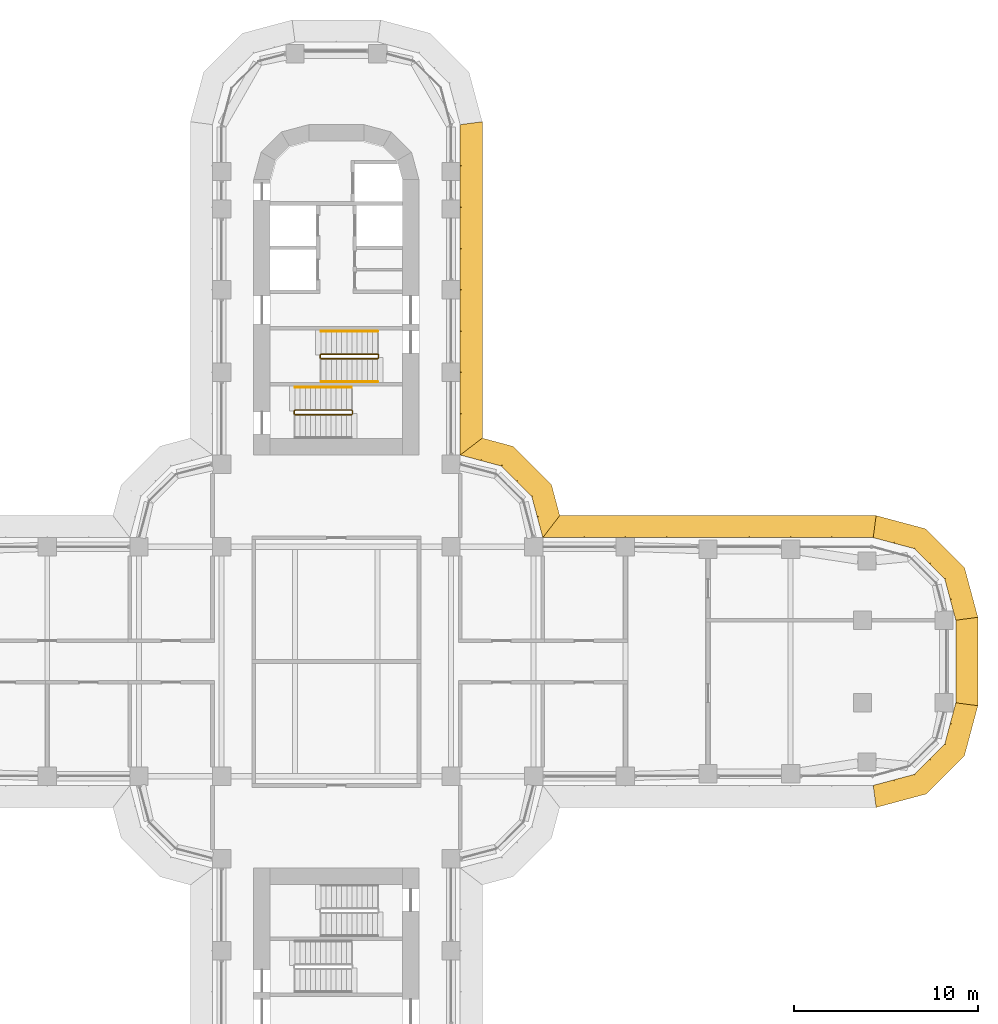
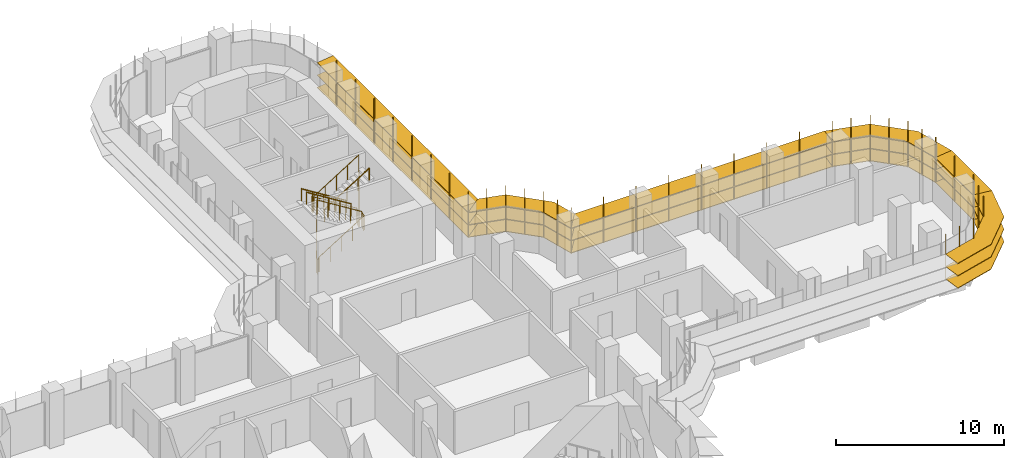
# One storey, part 22 of 23: 6 shading devices, 5 railings.
"""IFC4 building model written with IfcOpenShell, lengths in metres."""

from ifc_helpers import new_model, si_unit, direction, frame, origin, origin_2d, place, context, subcontext, project, spatial, polyline, circle, outline, extrude, faceted_brep, source, transform, mapped, material, type_object, element, save


model = new_model("IFC4")

# Units and contexts
model_context = context("Model", 3, precision=1e-05, world=origin(), true_north=direction((0.0, 1.0)))
body_context = subcontext(model_context, "Body", "Model", "MODEL_VIEW")
ifc_project = project(units=[si_unit("LENGTHUNIT", "METRE"), si_unit("AREAUNIT", "SQUARE_METRE"), si_unit("VOLUMEUNIT", "CUBIC_METRE"), si_unit("PLANEANGLEUNIT", "RADIAN"), si_unit("MASSUNIT", "GRAM", prefix="KILO")], contexts=[model_context])

# Site, building, storey
site_placement = place(None, origin())
site = spatial("IfcSite", under=ifc_project, at=site_placement, CompositionType="ELEMENT")
building_placement = place(site_placement, origin())
building = spatial("IfcBuilding", under=site, at=building_placement, Name="Zarbagh Exchange Tower", CompositionType="ELEMENT")
storey_placement = place(building_placement, frame((0.0, 0.0, 48.0)))
storey = spatial("IfcBuildingStorey", under=building, at=storey_placement, Name="L10", CompositionType="ELEMENT", Elevation=48.0)

# Railings
ifc_material_1 = material(Name="Stainless steel", Category="steel")
railing_type_1 = type_object("IfcRailingType", Name="Stair guard 1100 mm", PredefinedType="GUARDRAIL", material=ifc_material_1)
railing_1_placement = place(storey_placement, frame((-0.830078125, 16.5, 2.27490234375)))
element("IfcRailing", 1, at=railing_1_placement, inside=storey, type_object=railing_type_1, Name="ST1 stair guard 1", PredefinedType="GUARDRAIL", context=body_context, shape_type="SweptSolid", body=[
    extrude(circle(Radius=0.02392578125, at=origin_2d()), frame((0.0, 0.0, 1.076171875), z_axis=(0.847998304005, 0.0, 0.529998940003), x_axis=(0.0, 1.0, 0.0)), (0.0, 0.0, 1.0), 3.632080078125),
    extrude(circle(Radius=0.02392578125, at=origin_2d()), frame((3.080078125, 0.0, 3.0009765625), z_axis=(0.011914834358, 0.011914834358, -0.999858026644), x_axis=(-0.707106781187, 0.707106781187, 0.0)), (0.0, 0.0, 1.0), 4.200439453125),
    extrude(circle(Radius=0.02392578125, at=origin_2d()), frame((3.130126953125, 0.050048828125, -1.19873046875), z_axis=(0.0, 1.0, 0.0), x_axis=(-1.0, 0.0, 0.0)), (0.0, 0.0, 1.0), 0.14990234375),
    extrude(circle(Radius=0.02392578125, at=origin_2d()), frame((3.130126953125, 0.199951171875, -1.19873046875), z_axis=(-0.265065253269, 0.265065253269, 0.927081885822), x_axis=(-0.707106781187, -0.707106781187, 0.0)), (0.0, 0.0, 1.0), 0.188720703125),
    extrude(circle(Radius=0.02392578125, at=origin_2d()), frame((3.080078125, 0.25, -1.02392578125), z_axis=(-0.847998304005, 0.0, 0.529998940003), x_axis=(0.0, -1.0, 0.0)), (0.0, 0.0, 1.0), 3.632080078125),
    extrude(circle(Radius=0.02392578125, at=origin_2d()), frame((0.0, 0.25, 0.9013671875), z_axis=(-0.705375805398, -0.708833529934, 0.0), x_axis=(0.708833529934, -0.705375805398, 0.0)), (0.0, 0.0, 1.0), 0.070556640625),
    extrude(circle(Radius=0.02392578125, at=origin_2d()), frame((-0.0498046875, 0.199951171875, 0.9013671875), z_axis=(0.0, -1.0, 0.0), x_axis=(1.0, 0.0, 0.0)), (0.0, 0.0, 1.0), 0.14990234375),
    extrude(circle(Radius=0.02099609375, at=origin_2d()), origin(), (0.0, 0.0, 1.0), 1.052001953125),
    extrude(circle(Radius=0.02099609375, at=origin_2d()), frame((0.77001953125, 0.0, 0.481201171875)), (0.0, 0.0, 1.0), 1.052001953125),
    extrude(circle(Radius=0.02099609375, at=origin_2d()), frame((1.5400390625, 0.0, 0.96240234375)), (0.0, 0.0, 1.0), 1.052001953125),
    extrude(circle(Radius=0.02099609375, at=origin_2d()), frame((2.31005859375, 0.0, 1.44384765625)), (0.0, 0.0, 1.0), 1.052001953125),
    extrude(circle(Radius=0.02099609375, at=origin_2d()), frame((3.080078125, 0.0, 1.925048828125)), (0.0, 0.0, 1.0), 1.052001953125),
    extrude(circle(Radius=0.02099609375, at=origin_2d()), frame((3.092529296875, 0.012451171875, 0.875)), (0.0, 0.0, 1.0), 1.052001953125),
    extrude(circle(Radius=0.02099609375, at=origin_2d()), frame((3.10498046875, 0.02490234375, -0.1748046875)), (0.0, 0.0, 1.0), 1.052001953125),
    extrude(circle(Radius=0.02099609375, at=origin_2d()), frame((3.11767578125, 0.03759765625, -1.224853515625)), (0.0, 0.0, 1.0), 1.052001953125),
    extrude(circle(Radius=0.02099609375, at=origin_2d()), frame((3.130126953125, 0.050048828125, -2.27490234375)), (0.0, 0.0, 1.0), 1.052001953125),
    extrude(circle(Radius=0.02099609375, at=origin_2d()), frame((3.130126953125, 0.199951171875, -2.27490234375)), (0.0, 0.0, 1.0), 1.052001953125),
    extrude(circle(Radius=0.02099609375, at=origin_2d()), frame((3.080078125, 0.25, -2.099853515625)), (0.0, 0.0, 1.0), 1.052001953125),
    extrude(circle(Radius=0.02099609375, at=origin_2d()), frame((2.31005859375, 0.25, -1.61865234375)), (0.0, 0.0, 1.0), 1.052001953125),
    extrude(circle(Radius=0.02099609375, at=origin_2d()), frame((1.5400390625, 0.25, -1.13720703125)), (0.0, 0.0, 1.0), 1.052001953125),
    extrude(circle(Radius=0.02099609375, at=origin_2d()), frame((0.77001953125, 0.25, -0.656005859375)), (0.0, 0.0, 1.0), 1.052001953125),
    extrude(circle(Radius=0.02099609375, at=origin_2d()), frame((0.0, 0.25, -0.1748046875)), (0.0, 0.0, 1.0), 1.052001953125),
    extrude(circle(Radius=0.02099609375, at=origin_2d()), frame((-0.0498046875, 0.199951171875, -0.1748046875)), (0.0, 0.0, 1.0), 1.052001953125),
    extrude(circle(Radius=0.02099609375, at=origin_2d()), frame((-0.0498046875, 0.050048828125, -0.1748046875)), (0.0, 0.0, 1.0), 1.052001953125),
])
railing_2_placement = place(storey_placement, frame((0.8798828125, 13.5, 2.10009765625)))
element("IfcRailing", 2, at=railing_2_placement, inside=storey, type_object=railing_type_1, Name="ST2 stair guard 1", PredefinedType="GUARDRAIL", context=body_context, shape_type="SweptSolid", body=[
    extrude(circle(Radius=0.02392578125, at=origin_2d()), frame((0.0, 0.0, 1.076171875), z_axis=(0.0, 1.0, 0.0), x_axis=(-1.0, 0.0, 0.0)), (0.0, 0.0, 1.0), 0.14990234375),
    extrude(circle(Radius=0.02392578125, at=origin_2d()), frame((0.0, 0.14990234375, 1.076171875), z_axis=(-0.264179342666, 0.265474339444, 0.927217692888), x_axis=(-0.708833529934, -0.705375805398, 0.0)), (0.0, 0.0, 1.0), 0.1884765625),
    extrude(circle(Radius=0.02392578125, at=origin_2d()), frame((-0.0498046875, 0.199951171875, 1.2509765625), z_axis=(-0.847998304005, 0.0, 0.529998940003), x_axis=(0.0, -1.0, 0.0)), (0.0, 0.0, 1.0), 3.632080078125),
    extrude(circle(Radius=0.02392578125, at=origin_2d()), frame((-3.1298828125, 0.199951171875, 3.17578125), z_axis=(-0.011914834358, -0.011914834358, -0.999858026644), x_axis=(0.707106781187, -0.707106781187, 0.0)), (0.0, 0.0, 1.0), 4.200439453125),
    extrude(circle(Radius=0.02392578125, at=origin_2d()), frame((-3.179931640625, 0.14990234375, -1.02392578125), z_axis=(0.0, -1.0, 0.0), x_axis=(1.0, 0.0, 0.0)), (0.0, 0.0, 1.0), 0.14990234375),
    extrude(circle(Radius=0.02392578125, at=origin_2d()), frame((-3.179931640625, 0.0, -1.02392578125), z_axis=(0.265065253269, -0.265065253269, 0.927081885822), x_axis=(0.707106781187, 0.707106781187, 0.0)), (0.0, 0.0, 1.0), 0.188720703125),
    extrude(circle(Radius=0.02392578125, at=origin_2d()), frame((-3.1298828125, -0.050048828125, -0.84912109375), z_axis=(0.847998304005, 0.0, 0.529998940003), x_axis=(0.0, 1.0, 0.0)), (0.0, 0.0, 1.0), 3.632080078125),
    extrude(circle(Radius=0.02099609375, at=origin_2d()), origin(), (0.0, 0.0, 1.0), 1.052001953125),
    extrude(circle(Radius=0.02099609375, at=origin_2d()), frame((0.0, 0.14990234375, 0.0)), (0.0, 0.0, 1.0), 1.052001953125),
    extrude(circle(Radius=0.02099609375, at=origin_2d()), frame((-0.0498046875, 0.199951171875, 0.1748046875)), (0.0, 0.0, 1.0), 1.052001953125),
    extrude(circle(Radius=0.02099609375, at=origin_2d()), frame((-0.81982421875, 0.199951171875, 0.656005859375)), (0.0, 0.0, 1.0), 1.052001953125),
    extrude(circle(Radius=0.02099609375, at=origin_2d()), frame((-1.58984375, 0.199951171875, 1.13720703125)), (0.0, 0.0, 1.0), 1.052001953125),
    extrude(circle(Radius=0.02099609375, at=origin_2d()), frame((-2.35986328125, 0.199951171875, 1.61865234375)), (0.0, 0.0, 1.0), 1.052001953125),
    extrude(circle(Radius=0.02099609375, at=origin_2d()), frame((-3.1298828125, 0.199951171875, 2.099853515625)), (0.0, 0.0, 1.0), 1.052001953125),
    extrude(circle(Radius=0.02099609375, at=origin_2d()), frame((-3.142333984375, 0.1875, 1.0498046875)), (0.0, 0.0, 1.0), 1.052001953125),
    extrude(circle(Radius=0.02099609375, at=origin_2d()), frame((-3.15478515625, 0.1748046875, 0.0)), (0.0, 0.0, 1.0), 1.052001953125),
    extrude(circle(Radius=0.02099609375, at=origin_2d()), frame((-3.16748046875, 0.162353515625, -1.050048828125)), (0.0, 0.0, 1.0), 1.052001953125),
    extrude(circle(Radius=0.02099609375, at=origin_2d()), frame((-3.179931640625, 0.14990234375, -2.10009765625)), (0.0, 0.0, 1.0), 1.052001953125),
    extrude(circle(Radius=0.02099609375, at=origin_2d()), frame((-3.179931640625, 0.0, -2.10009765625)), (0.0, 0.0, 1.0), 1.052001953125),
    extrude(circle(Radius=0.02099609375, at=origin_2d()), frame((-3.1298828125, -0.050048828125, -1.925048828125)), (0.0, 0.0, 1.0), 1.052001953125),
    extrude(circle(Radius=0.02099609375, at=origin_2d()), frame((-2.35986328125, -0.050048828125, -1.44384765625)), (0.0, 0.0, 1.0), 1.052001953125),
    extrude(circle(Radius=0.02099609375, at=origin_2d()), frame((-1.58984375, -0.050048828125, -0.96240234375)), (0.0, 0.0, 1.0), 1.052001953125),
    extrude(circle(Radius=0.02099609375, at=origin_2d()), frame((-0.81982421875, -0.050048828125, -0.481201171875)), (0.0, 0.0, 1.0), 1.052001953125),
    extrude(circle(Radius=0.02099609375, at=origin_2d()), frame((-0.0498046875, -0.050048828125, 0.0)), (0.0, 0.0, 1.0), 1.052001953125),
])
railing_type_2 = type_object("IfcRailingType", Name="Stair handrail 900 mm", PredefinedType="HANDRAIL", material=ifc_material_1)
railing_3_placement = place(storey_placement, frame((2.25, 18.0, 0.175048828125)))
element("IfcRailing", 3, at=railing_3_placement, inside=storey, type_object=railing_type_2, Name="ST1 stair handrail 1", PredefinedType="HANDRAIL", context=body_context, shape_type="SweptSolid", body=[
    extrude(circle(Radius=0.02392578125, at=origin_2d()), frame((0.0, 0.0, 0.8759765625), z_axis=(-0.847998304005, 0.0, 0.529998940003), x_axis=(0.0, -1.0, 0.0)), (0.0, 0.0, 1.0), 3.632080078125),
    extrude(circle(Radius=0.02099609375, at=origin_2d()), origin(), (0.0, 0.0, 1.0), 0.851806640625),
    extrude(circle(Radius=0.02099609375, at=origin_2d()), frame((-0.77001953125, 0.0, 0.481201171875)), (0.0, 0.0, 1.0), 0.851806640625),
    extrude(circle(Radius=0.02099609375, at=origin_2d()), frame((-1.5400390625, 0.0, 0.96240234375)), (0.0, 0.0, 1.0), 0.851806640625),
    extrude(circle(Radius=0.02099609375, at=origin_2d()), frame((-2.31005859375, 0.0, 1.44384765625)), (0.0, 0.0, 1.0), 0.851806640625),
    extrude(circle(Radius=0.02099609375, at=origin_2d()), frame((-3.080078125, 0.0, 1.925048828125)), (0.0, 0.0, 1.0), 0.851806640625),
])
railing_4_placement = place(storey_placement, frame((-0.830078125, 15.25, 2.27490234375)))
element("IfcRailing", 4, at=railing_4_placement, inside=storey, type_object=railing_type_2, Name="ST1 stair handrail 2", PredefinedType="HANDRAIL", context=body_context, shape_type="SweptSolid", body=[
    extrude(circle(Radius=0.02392578125, at=origin_2d()), frame((0.0, 0.0, 0.8759765625), z_axis=(0.847998304005, 0.0, 0.529998940003), x_axis=(0.0, 1.0, 0.0)), (0.0, 0.0, 1.0), 3.632080078125),
    extrude(circle(Radius=0.02099609375, at=origin_2d()), origin(), (0.0, 0.0, 1.0), 0.851806640625),
    extrude(circle(Radius=0.02099609375, at=origin_2d()), frame((0.77001953125, 0.0, 0.481201171875)), (0.0, 0.0, 1.0), 0.851806640625),
    extrude(circle(Radius=0.02099609375, at=origin_2d()), frame((1.5400390625, 0.0, 0.96240234375)), (0.0, 0.0, 1.0), 0.851806640625),
    extrude(circle(Radius=0.02099609375, at=origin_2d()), frame((2.31005859375, 0.0, 1.44384765625)), (0.0, 0.0, 1.0), 0.851806640625),
    extrude(circle(Radius=0.02099609375, at=origin_2d()), frame((3.080078125, 0.0, 1.925048828125)), (0.0, 0.0, 1.0), 0.851806640625),
])
railing_5_placement = place(storey_placement, frame((0.830078125, 14.949951171875, 2.27490234375)))
element("IfcRailing", 5, at=railing_5_placement, inside=storey, type_object=railing_type_2, Name="ST2 stair handrail 2", PredefinedType="HANDRAIL", context=body_context, shape_type="SweptSolid", body=[
    extrude(circle(Radius=0.02392578125, at=origin_2d()), frame((0.0, 0.0, 0.8759765625), z_axis=(-0.847998304005, 0.0, 0.529998940003), x_axis=(0.0, -1.0, 0.0)), (0.0, 0.0, 1.0), 3.632080078125),
    extrude(circle(Radius=0.02099609375, at=origin_2d()), origin(), (0.0, 0.0, 1.0), 0.851806640625),
    extrude(circle(Radius=0.02099609375, at=origin_2d()), frame((-0.77001953125, 0.0, 0.481201171875)), (0.0, 0.0, 1.0), 0.851806640625),
    extrude(circle(Radius=0.02099609375, at=origin_2d()), frame((-1.5400390625, 0.0, 0.96240234375)), (0.0, 0.0, 1.0), 0.851806640625),
    extrude(circle(Radius=0.02099609375, at=origin_2d()), frame((-2.31005859375, 0.0, 1.44384765625)), (0.0, 0.0, 1.0), 0.851806640625),
    extrude(circle(Radius=0.02099609375, at=origin_2d()), frame((-3.080078125, 0.0, 1.925048828125)), (0.0, 0.0, 1.0), 0.851806640625),
])

# Shading devices
ifc_material_2 = material(Name="Anodised aluminium blades and brackets", Category="aluminium")
shading_device_type = type_object("IfcShadingDeviceType", Name="SUNSHADE louvre band, 0 degree blades", PredefinedType="JALOUSIE", material=ifc_material_2)
shared_shape_1 = source(origin(), body_context, "Body", "Brep", [
    faceted_brep([(0.0, 0.0, 0.0), (0.0, 0.0, -0.0400390625), (-0.157958984375, -1.199951171875, -0.0400390625), (-0.157958984375, -1.199951171875, 0.0), (2.65087890625, -1.199951171875, 0.0), (2.65087890625, -1.199951171875, -0.0400390625), (2.329345703125, 0.0, -0.0400390625), (2.329345703125, 0.0, 0.0)], [[[0, 1, 2, 3]], [[4, 5, 6, 7]], [[0, 7, 6, 1]], [[1, 6, 5, 2]], [[2, 5, 4, 3]], [[3, 4, 7, 0]]]),
])
shared_shape_2 = source(origin(), body_context, "Body", "Brep", [
    faceted_brep([(0.0, 0.0, 0.0), (0.0, 0.0, -0.0400390625), (-0.321533203125, -1.199951171875, -0.0400390625), (-0.321533203125, -1.199951171875, 0.0), (2.65087890625, -1.199951171875, 0.0), (2.65087890625, -1.199951171875, -0.0400390625), (2.329345703125, 0.0, -0.0400390625), (2.329345703125, 0.0, 0.0)], [[[0, 1, 2, 3]], [[4, 5, 6, 7]], [[0, 7, 6, 1]], [[1, 6, 5, 2]], [[2, 5, 4, 3]], [[3, 4, 7, 0]]]),
])
shared_shape_3 = source(origin(), body_context, "Body", "Brep", [
    faceted_brep([(0.0, 0.0, 0.0), (0.0, 0.0, -0.0400390625), (-0.321533203125, -1.199951171875, -0.0400390625), (-0.321533203125, -1.199951171875, 0.0), (2.4873046875, -1.199951171875, 0.0), (2.4873046875, -1.199951171875, -0.0400390625), (2.329345703125, 0.0, -0.0400390625), (2.329345703125, 0.0, 0.0)], [[[0, 1, 2, 3]], [[4, 5, 6, 7]], [[0, 7, 6, 1]], [[1, 6, 5, 2]], [[2, 5, 4, 3]], [[3, 4, 7, 0]]]),
])
shared_shape_4 = source(origin(), body_context, "Body", "SweptSolid", [
    extrude(outline(polyline([(0.0, -0.012451171875), (0.06005859375, -0.012451171875), (0.06005859375, 0.012451171875), (0.0, 0.012451171875), (0.0, -0.012451171875)])), origin(), (0.0, 0.0, 1.0), 3.35009765625),
])
placement = place(storey_placement, origin())
element("IfcShadingDevice", 6, at=placement, inside=storey, type_object=shading_device_type, Name="SS05 sunshade band", PredefinedType="JALOUSIE", context=body_context, shape_type="MappedRepresentation", body=[
    mapped(shared_shape_1, transform((29.25, -6.75, 2.699951171875), x_axis=(0.965924289636, 0.258824779902, 0.0), y_axis=(-0.258824779902, 0.965924289636, 0.0), z_axis=(0.0, 0.0, 1.0))),
    mapped(shared_shape_1, transform((29.25, -6.75, 1.800048828125), x_axis=(0.965924289636, 0.258824779902, 0.0), y_axis=(-0.258824779902, 0.965924289636, 0.0), z_axis=(0.0, 0.0, 1.0))),
    mapped(shared_shape_1, transform((29.25, -6.75, 0.89990234375), x_axis=(0.965924289636, 0.258824779902, 0.0), y_axis=(-0.258824779902, 0.965924289636, 0.0), z_axis=(0.0, 0.0, 1.0))),
    mapped(shared_shape_2, transform((31.5, -6.147216796875, 2.699951171875), x_axis=(0.707106781187, 0.707106781187, 0.0), y_axis=(-0.707106781187, 0.707106781187, 0.0), z_axis=(0.0, 0.0, 1.0))),
    mapped(shared_shape_2, transform((31.5, -6.147216796875, 1.800048828125), x_axis=(0.707106781187, 0.707106781187, 0.0), y_axis=(-0.707106781187, 0.707106781187, 0.0), z_axis=(0.0, 0.0, 1.0))),
    mapped(shared_shape_2, transform((31.5, -6.147216796875, 0.89990234375), x_axis=(0.707106781187, 0.707106781187, 0.0), y_axis=(-0.707106781187, 0.707106781187, 0.0), z_axis=(0.0, 0.0, 1.0))),
    mapped(shared_shape_3, transform((33.147216796875, -4.5, 2.699951171875), x_axis=(0.258824779902, 0.965924289636, 0.0), y_axis=(-0.965924289636, 0.258824779902, 0.0), z_axis=(0.0, 0.0, 1.0))),
    mapped(shared_shape_3, transform((33.147216796875, -4.5, 1.800048828125), x_axis=(0.258824779902, 0.965924289636, 0.0), y_axis=(-0.965924289636, 0.258824779902, 0.0), z_axis=(0.0, 0.0, 1.0))),
    mapped(shared_shape_3, transform((33.147216796875, -4.5, 0.89990234375), x_axis=(0.258824779902, 0.965924289636, 0.0), y_axis=(-0.965924289636, 0.258824779902, 0.0), z_axis=(0.0, 0.0, 1.0))),
    mapped(shared_shape_4, transform((29.25, -6.75, 0.830078125), x_axis=(0.130529263012, -0.991444457092, 0.0), y_axis=(0.991444457092, 0.130529263012, 0.0), z_axis=(0.0, 0.0, 1.0))),
    mapped(shared_shape_4, transform((30.375, -6.448486328125, 0.830078125), x_axis=(0.258825058029, -0.96592421511, 0.0), y_axis=(0.96592421511, 0.258825058029, 0.0), z_axis=(0.0, 0.0, 1.0))),
    mapped(shared_shape_4, transform((31.5, -6.147216796875, 0.830078125), x_axis=(0.50000275701, -0.866023812018, 0.0), y_axis=(0.866023812018, 0.50000275701, 0.0), z_axis=(0.0, 0.0, 1.0))),
    mapped(shared_shape_4, transform((32.323486328125, -5.323486328125, 0.830078125), x_axis=(0.707106781187, -0.707106781187, 0.0), y_axis=(0.707106781187, 0.707106781187, 0.0), z_axis=(0.0, 0.0, 1.0))),
    mapped(shared_shape_4, transform((33.147216796875, -4.5, 0.830078125), x_axis=(0.866023812018, -0.50000275701, 0.0), y_axis=(0.50000275701, 0.866023812018, 0.0), z_axis=(0.0, 0.0, 1.0))),
    mapped(shared_shape_4, transform((33.448486328125, -3.375, 0.830078125), x_axis=(0.96592421511, -0.258825058029, 0.0), y_axis=(0.258825058029, 0.96592421511, 0.0), z_axis=(0.0, 0.0, 1.0))),
])
element("IfcShadingDevice", 7, at=placement, inside=storey, type_object=shading_device_type, Name="SS07 sunshade band", PredefinedType="JALOUSIE", context=body_context, shape_type="MappedRepresentation", body=[
    mapped(shared_shape_1, transform((33.75, 2.25, 2.699951171875), x_axis=(-0.258824779902, 0.965924289636, 0.0), y_axis=(-0.965924289636, -0.258824779902, 0.0), z_axis=(0.0, 0.0, 1.0))),
    mapped(shared_shape_1, transform((33.75, 2.25, 1.800048828125), x_axis=(-0.258824779902, 0.965924289636, 0.0), y_axis=(-0.965924289636, -0.258824779902, 0.0), z_axis=(0.0, 0.0, 1.0))),
    mapped(shared_shape_1, transform((33.75, 2.25, 0.89990234375), x_axis=(-0.258824779902, 0.965924289636, 0.0), y_axis=(-0.965924289636, -0.258824779902, 0.0), z_axis=(0.0, 0.0, 1.0))),
    mapped(shared_shape_2, transform((33.147216796875, 4.5, 2.699951171875), x_axis=(-0.707106781187, 0.707106781187, 0.0), y_axis=(-0.707106781187, -0.707106781187, 0.0), z_axis=(0.0, 0.0, 1.0))),
    mapped(shared_shape_2, transform((33.147216796875, 4.5, 1.800048828125), x_axis=(-0.707106781187, 0.707106781187, 0.0), y_axis=(-0.707106781187, -0.707106781187, 0.0), z_axis=(0.0, 0.0, 1.0))),
    mapped(shared_shape_2, transform((33.147216796875, 4.5, 0.89990234375), x_axis=(-0.707106781187, 0.707106781187, 0.0), y_axis=(-0.707106781187, -0.707106781187, 0.0), z_axis=(0.0, 0.0, 1.0))),
    mapped(shared_shape_3, transform((31.5, 6.147216796875, 2.699951171875), x_axis=(-0.965924289636, 0.258824779902, 0.0), y_axis=(-0.258824779902, -0.965924289636, 0.0), z_axis=(0.0, 0.0, 1.0))),
    mapped(shared_shape_3, transform((31.5, 6.147216796875, 1.800048828125), x_axis=(-0.965924289636, 0.258824779902, 0.0), y_axis=(-0.258824779902, -0.965924289636, 0.0), z_axis=(0.0, 0.0, 1.0))),
    mapped(shared_shape_3, transform((31.5, 6.147216796875, 0.89990234375), x_axis=(-0.965924289636, 0.258824779902, 0.0), y_axis=(-0.258824779902, -0.965924289636, 0.0), z_axis=(0.0, 0.0, 1.0))),
    mapped(shared_shape_4, transform((33.75, 2.25, 0.830078125), x_axis=(0.991444457092, 0.130529263012, 0.0), y_axis=(-0.130529263012, 0.991444457092, 0.0), z_axis=(0.0, 0.0, 1.0))),
    mapped(shared_shape_4, transform((33.448486328125, 3.375, 0.830078125), x_axis=(0.96592421511, 0.258825058029, 0.0), y_axis=(-0.258825058029, 0.96592421511, 0.0), z_axis=(0.0, 0.0, 1.0))),
    mapped(shared_shape_4, transform((33.147216796875, 4.5, 0.830078125), x_axis=(0.866023812018, 0.50000275701, 0.0), y_axis=(-0.50000275701, 0.866023812018, 0.0), z_axis=(0.0, 0.0, 1.0))),
    mapped(shared_shape_4, transform((32.323486328125, 5.323486328125, 0.830078125), x_axis=(0.707106781187, 0.707106781187, 0.0), y_axis=(-0.707106781187, 0.707106781187, 0.0), z_axis=(0.0, 0.0, 1.0))),
    mapped(shared_shape_4, transform((31.5, 6.147216796875, 0.830078125), x_axis=(0.50000275701, 0.866023812018, 0.0), y_axis=(-0.866023812018, 0.50000275701, 0.0), z_axis=(0.0, 0.0, 1.0))),
    mapped(shared_shape_4, transform((30.375, 6.448486328125, 0.830078125), x_axis=(0.258825058029, 0.96592421511, 0.0), y_axis=(-0.96592421511, 0.258825058029, 0.0), z_axis=(0.0, 0.0, 1.0))),
])
shared_shape_5 = source(origin(), body_context, "Body", "Brep", [
    faceted_brep([(0.0, 0.0, 0.0), (0.0, 0.0, -0.0400390625), (0.9208984375, -1.199951171875, -0.0400390625), (0.9208984375, -1.199951171875, 0.0), (2.65087890625, -1.199951171875, 0.0), (2.65087890625, -1.199951171875, -0.0400390625), (2.329345703125, 0.0, -0.0400390625), (2.329345703125, 0.0, 0.0)], [[[0, 1, 2, 3]], [[4, 5, 6, 7]], [[0, 7, 6, 1]], [[1, 6, 5, 2]], [[2, 5, 4, 3]], [[3, 4, 7, 0]]]),
])
shared_shape_6 = source(origin(), body_context, "Body", "Brep", [
    faceted_brep([(0.0, 0.0, 0.0), (0.0, 0.0, -0.0400390625), (-0.321533203125, -1.199951171875, -0.0400390625), (-0.321533203125, -1.199951171875, 0.0), (1.40869140625, -1.199951171875, 0.0), (1.40869140625, -1.199951171875, -0.0400390625), (2.329345703125, 0.0, -0.0400390625), (2.329345703125, 0.0, 0.0)], [[[0, 1, 2, 3]], [[4, 5, 6, 7]], [[0, 7, 6, 1]], [[1, 6, 5, 2]], [[2, 5, 4, 3]], [[3, 4, 7, 0]]]),
])
element("IfcShadingDevice", 8, at=placement, inside=storey, type_object=shading_device_type, Name="SS09 sunshade band", PredefinedType="JALOUSIE", context=body_context, shape_type="MappedRepresentation", body=[
    mapped(shared_shape_5, transform((11.25, 6.75, 2.699951171875), x_axis=(-0.258824779902, 0.965924289636, 0.0), y_axis=(-0.965924289636, -0.258824779902, 0.0), z_axis=(0.0, 0.0, 1.0))),
    mapped(shared_shape_5, transform((11.25, 6.75, 1.800048828125), x_axis=(-0.258824779902, 0.965924289636, 0.0), y_axis=(-0.965924289636, -0.258824779902, 0.0), z_axis=(0.0, 0.0, 1.0))),
    mapped(shared_shape_5, transform((11.25, 6.75, 0.89990234375), x_axis=(-0.258824779902, 0.965924289636, 0.0), y_axis=(-0.965924289636, -0.258824779902, 0.0), z_axis=(0.0, 0.0, 1.0))),
    mapped(shared_shape_2, transform((10.647216796875, 9.0, 2.699951171875), x_axis=(-0.707106781187, 0.707106781187, 0.0), y_axis=(-0.707106781187, -0.707106781187, 0.0), z_axis=(0.0, 0.0, 1.0))),
    mapped(shared_shape_2, transform((10.647216796875, 9.0, 1.800048828125), x_axis=(-0.707106781187, 0.707106781187, 0.0), y_axis=(-0.707106781187, -0.707106781187, 0.0), z_axis=(0.0, 0.0, 1.0))),
    mapped(shared_shape_2, transform((10.647216796875, 9.0, 0.89990234375), x_axis=(-0.707106781187, 0.707106781187, 0.0), y_axis=(-0.707106781187, -0.707106781187, 0.0), z_axis=(0.0, 0.0, 1.0))),
    mapped(shared_shape_6, transform((9.0, 10.647216796875, 2.699951171875), x_axis=(-0.965924289636, 0.258824779902, 0.0), y_axis=(-0.258824779902, -0.965924289636, 0.0), z_axis=(0.0, 0.0, 1.0))),
    mapped(shared_shape_6, transform((9.0, 10.647216796875, 1.800048828125), x_axis=(-0.965924289636, 0.258824779902, 0.0), y_axis=(-0.258824779902, -0.965924289636, 0.0), z_axis=(0.0, 0.0, 1.0))),
    mapped(shared_shape_6, transform((9.0, 10.647216796875, 0.89990234375), x_axis=(-0.965924289636, 0.258824779902, 0.0), y_axis=(-0.258824779902, -0.965924289636, 0.0), z_axis=(0.0, 0.0, 1.0))),
    mapped(shared_shape_4, transform((11.25, 6.75, 0.830078125), x_axis=(0.608758892, 0.793355287, 0.0), y_axis=(-0.793355287, 0.608758892, 0.0), z_axis=(0.0, 0.0, 1.0))),
    mapped(shared_shape_4, transform((10.948486328125, 7.875, 0.830078125), x_axis=(0.96592421511, 0.258825058029, 0.0), y_axis=(-0.258825058029, 0.96592421511, 0.0), z_axis=(0.0, 0.0, 1.0))),
    mapped(shared_shape_4, transform((10.647216796875, 9.0, 0.830078125), x_axis=(0.866023812018, 0.50000275701, 0.0), y_axis=(-0.50000275701, 0.866023812018, 0.0), z_axis=(0.0, 0.0, 1.0))),
    mapped(shared_shape_4, transform((9.823486328125, 9.823486328125, 0.830078125), x_axis=(0.707106781187, 0.707106781187, 0.0), y_axis=(-0.707106781187, 0.707106781187, 0.0), z_axis=(0.0, 0.0, 1.0))),
    mapped(shared_shape_4, transform((9.0, 10.647216796875, 0.830078125), x_axis=(0.50000275701, 0.866023812018, 0.0), y_axis=(-0.866023812018, 0.50000275701, 0.0), z_axis=(0.0, 0.0, 1.0))),
    mapped(shared_shape_4, transform((7.875, 10.948486328125, 0.830078125), x_axis=(0.258825058029, 0.96592421511, 0.0), y_axis=(-0.96592421511, 0.258825058029, 0.0), z_axis=(0.0, 0.0, 1.0))),
])
shared_shape_7 = source(origin(), body_context, "Body", "Brep", [
    faceted_brep([(0.0, 0.0, 0.0), (0.0, 0.0, -0.0400390625), (-0.157958984375, -1.199951171875, -0.0400390625), (-0.157958984375, -1.199951171875, 0.0), (4.657958984375, -1.199951171875, 0.0), (4.657958984375, -1.199951171875, -0.0400390625), (4.5, 0.0, -0.0400390625), (4.5, 0.0, 0.0)], [[[0, 1, 2, 3]], [[4, 5, 6, 7]], [[0, 7, 6, 1]], [[1, 6, 5, 2]], [[2, 5, 4, 3]], [[3, 4, 7, 0]]]),
])
element("IfcShadingDevice", 9, at=placement, inside=storey, type_object=shading_device_type, Name="SS06 sunshade band", PredefinedType="JALOUSIE", context=body_context, shape_type="MappedRepresentation", body=[
    mapped(shared_shape_7, transform((33.75, -2.25, 2.699951171875), x_axis=(0.0, 1.0, 0.0), y_axis=(-1.0, 0.0, 0.0), z_axis=(0.0, 0.0, 1.0))),
    mapped(shared_shape_7, transform((33.75, -2.25, 1.800048828125), x_axis=(0.0, 1.0, 0.0), y_axis=(-1.0, 0.0, 0.0), z_axis=(0.0, 0.0, 1.0))),
    mapped(shared_shape_7, transform((33.75, -2.25, 0.89990234375), x_axis=(0.0, 1.0, 0.0), y_axis=(-1.0, 0.0, 0.0), z_axis=(0.0, 0.0, 1.0))),
    mapped(shared_shape_4, transform((33.75, -2.25, 0.830078125), x_axis=(0.991444457092, -0.130529263012, 0.0), y_axis=(0.130529263012, 0.991444457092, 0.0), z_axis=(0.0, 0.0, 1.0))),
    mapped(shared_shape_4, transform((33.75, 0.0, 0.830078125), x_axis=(1.0, 0.0, 0.0), y_axis=(0.0, 1.0, 0.0), z_axis=(0.0, 0.0, 1.0))),
])
shared_shape_8 = source(origin(), body_context, "Body", "Brep", [
    faceted_brep([(0.0, 0.0, 0.0), (0.0, 0.0, -0.0400390625), (-0.157958984375, -1.199951171875, -0.0400390625), (-0.157958984375, -1.199951171875, 0.0), (17.0791015625, -1.199951171875, 0.0), (17.0791015625, -1.199951171875, -0.0400390625), (18.0, 0.0, -0.0400390625), (18.0, 0.0, 0.0)], [[[0, 1, 2, 3]], [[4, 5, 6, 7]], [[0, 7, 6, 1]], [[1, 6, 5, 2]], [[2, 5, 4, 3]], [[3, 4, 7, 0]]]),
])
element("IfcShadingDevice", 10, at=placement, inside=storey, type_object=shading_device_type, Name="SS08 sunshade band", PredefinedType="JALOUSIE", context=body_context, shape_type="MappedRepresentation", body=[
    mapped(shared_shape_8, transform((29.25, 6.75, 2.699951171875), x_axis=(-1.0, 0.0, 0.0), y_axis=(0.0, -1.0, 0.0), z_axis=(0.0, 0.0, 1.0))),
    mapped(shared_shape_8, transform((29.25, 6.75, 1.800048828125), x_axis=(-1.0, 0.0, 0.0), y_axis=(0.0, -1.0, 0.0), z_axis=(0.0, 0.0, 1.0))),
    mapped(shared_shape_8, transform((29.25, 6.75, 0.89990234375), x_axis=(-1.0, 0.0, 0.0), y_axis=(0.0, -1.0, 0.0), z_axis=(0.0, 0.0, 1.0))),
    mapped(shared_shape_4, transform((29.25, 6.75, 0.830078125), x_axis=(0.130529263012, 0.991444457092, 0.0), y_axis=(-0.991444457092, 0.130529263012, 0.0), z_axis=(0.0, 0.0, 1.0))),
    mapped(shared_shape_4, transform((27.0, 6.75, 0.830078125), x_axis=(0.0, 1.0, 0.0), y_axis=(-1.0, 0.0, 0.0), z_axis=(0.0, 0.0, 1.0))),
    mapped(shared_shape_4, transform((24.75, 6.75, 0.830078125), x_axis=(0.0, 1.0, 0.0), y_axis=(-1.0, 0.0, 0.0), z_axis=(0.0, 0.0, 1.0))),
    mapped(shared_shape_4, transform((22.5, 6.75, 0.830078125), x_axis=(0.0, 1.0, 0.0), y_axis=(-1.0, 0.0, 0.0), z_axis=(0.0, 0.0, 1.0))),
    mapped(shared_shape_4, transform((20.25, 6.75, 0.830078125), x_axis=(0.0, 1.0, 0.0), y_axis=(-1.0, 0.0, 0.0), z_axis=(0.0, 0.0, 1.0))),
    mapped(shared_shape_4, transform((18.0, 6.75, 0.830078125), x_axis=(0.0, 1.0, 0.0), y_axis=(-1.0, 0.0, 0.0), z_axis=(0.0, 0.0, 1.0))),
    mapped(shared_shape_4, transform((15.75, 6.75, 0.830078125), x_axis=(0.0, 1.0, 0.0), y_axis=(-1.0, 0.0, 0.0), z_axis=(0.0, 0.0, 1.0))),
    mapped(shared_shape_4, transform((13.5, 6.75, 0.830078125), x_axis=(0.0, 1.0, 0.0), y_axis=(-1.0, 0.0, 0.0), z_axis=(0.0, 0.0, 1.0))),
])
shared_shape_9 = source(origin(), body_context, "Body", "Brep", [
    faceted_brep([(0.0, 0.0, 0.0), (0.0, 0.0, -0.0400390625), (0.9208984375, -1.199951171875, -0.0400390625), (0.9208984375, -1.199951171875, 0.0), (18.157958984375, -1.199951171875, 0.0), (18.157958984375, -1.199951171875, -0.0400390625), (18.0, 0.0, -0.0400390625), (18.0, 0.0, 0.0)], [[[0, 1, 2, 3]], [[4, 5, 6, 7]], [[0, 7, 6, 1]], [[1, 6, 5, 2]], [[2, 5, 4, 3]], [[3, 4, 7, 0]]]),
])
element("IfcShadingDevice", 11, at=placement, inside=storey, type_object=shading_device_type, Name="SS10 sunshade band", PredefinedType="JALOUSIE", context=body_context, shape_type="MappedRepresentation", body=[
    mapped(shared_shape_9, transform((6.75, 11.25, 2.699951171875), x_axis=(0.0, 1.0, 0.0), y_axis=(-1.0, 0.0, 0.0), z_axis=(0.0, 0.0, 1.0))),
    mapped(shared_shape_9, transform((6.75, 11.25, 1.800048828125), x_axis=(0.0, 1.0, 0.0), y_axis=(-1.0, 0.0, 0.0), z_axis=(0.0, 0.0, 1.0))),
    mapped(shared_shape_9, transform((6.75, 11.25, 0.89990234375), x_axis=(0.0, 1.0, 0.0), y_axis=(-1.0, 0.0, 0.0), z_axis=(0.0, 0.0, 1.0))),
    mapped(shared_shape_4, transform((6.75, 11.25, 0.830078125), x_axis=(0.793355287, 0.608758892, 0.0), y_axis=(-0.608758892, 0.793355287, 0.0), z_axis=(0.0, 0.0, 1.0))),
    mapped(shared_shape_4, transform((6.75, 13.5, 0.830078125), x_axis=(1.0, 0.0, 0.0), y_axis=(0.0, 1.0, 0.0), z_axis=(0.0, 0.0, 1.0))),
    mapped(shared_shape_4, transform((6.75, 15.75, 0.830078125), x_axis=(1.0, 0.0, 0.0), y_axis=(0.0, 1.0, 0.0), z_axis=(0.0, 0.0, 1.0))),
    mapped(shared_shape_4, transform((6.75, 18.0, 0.830078125), x_axis=(1.0, 0.0, 0.0), y_axis=(0.0, 1.0, 0.0), z_axis=(0.0, 0.0, 1.0))),
    mapped(shared_shape_4, transform((6.75, 20.25, 0.830078125), x_axis=(1.0, 0.0, 0.0), y_axis=(0.0, 1.0, 0.0), z_axis=(0.0, 0.0, 1.0))),
    mapped(shared_shape_4, transform((6.75, 22.5, 0.830078125), x_axis=(1.0, 0.0, 0.0), y_axis=(0.0, 1.0, 0.0), z_axis=(0.0, 0.0, 1.0))),
    mapped(shared_shape_4, transform((6.75, 24.75, 0.830078125), x_axis=(1.0, 0.0, 0.0), y_axis=(0.0, 1.0, 0.0), z_axis=(0.0, 0.0, 1.0))),
    mapped(shared_shape_4, transform((6.75, 27.0, 0.830078125), x_axis=(1.0, 0.0, 0.0), y_axis=(0.0, 1.0, 0.0), z_axis=(0.0, 0.0, 1.0))),
])

save(model, "model.ifc")
